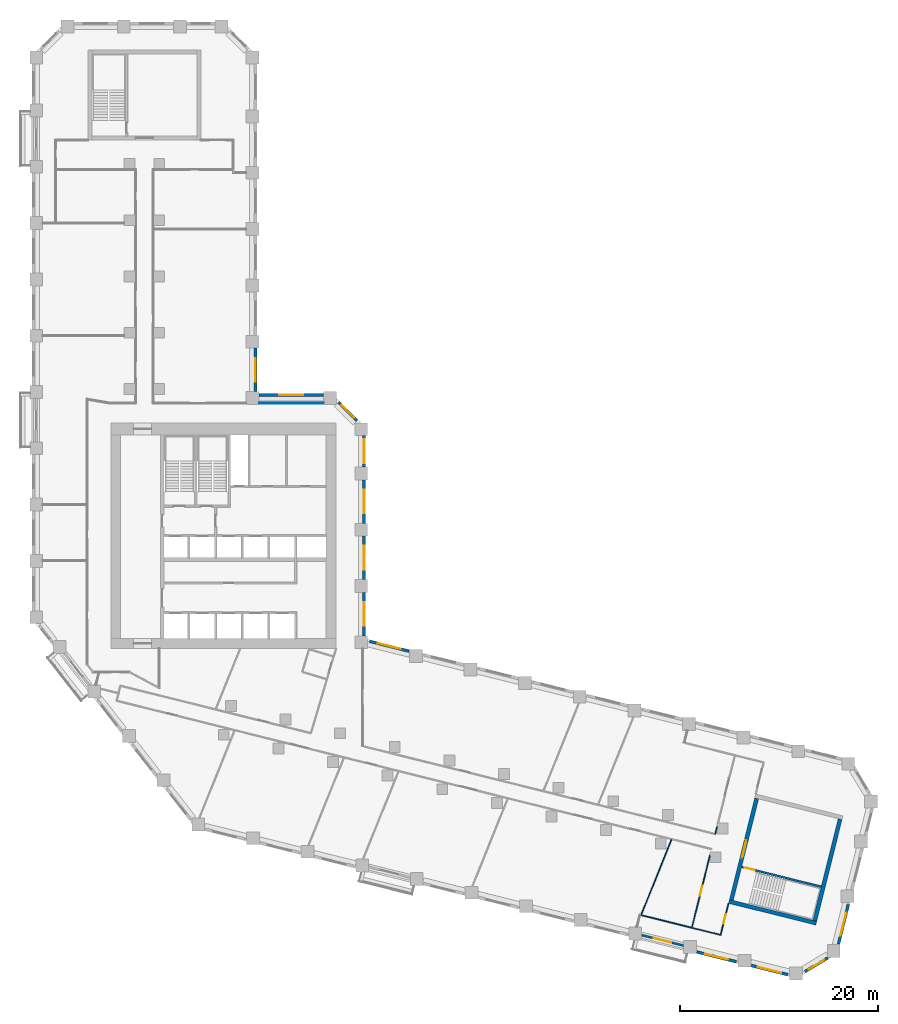
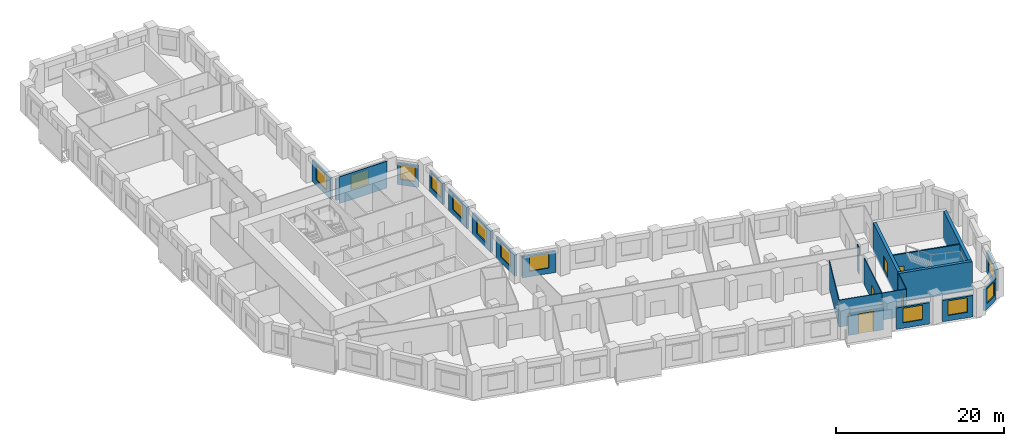
# One storey, part 6 of 10: 24 walls, 12 windows, 5 doors, 17 openings.
"""IFC4 building model written with IfcOpenShell, lengths in metres."""

import ifcopenshell
import ifcopenshell.guid

model = None  # the IFC model being written
_history = None  # IfcOwnerHistory: only IFC2X3 demands one
_inside = {}  # id of a spatial element -> (the spatial element, [elements in it])
_under = {}  # id of a project, library or spatial element -> (it, [spatial elements below it])
_declared = {}  # id of a project -> (the project, [libraries it declares])
_typed = {}  # id of a type object -> (the type object, [elements of that type])
_made_of = {}  # id of a material, layer set ... -> (it, [elements and type objects made of it])


def new_model(schema):
    """Start an empty IFC model of exactly this schema.

    Asked for "IFC4X3", IfcOpenShell would pick the latest addendum, in which some entities
    have other attributes; the version numbers below select the first issue.
    IFC2X3 requires an IfcOwnerHistory on every rooted entity: one is made here for all.
    """
    global model, _history
    if schema == "IFC4X3":
        model = ifcopenshell.file(schema_version=(4, 3, 0, 0))
    else:
        model = ifcopenshell.file(schema=schema)
    _inside.clear()
    _under.clear()
    _declared.clear()
    _typed.clear()
    _made_of.clear()
    _history = None
    if model.schema == "IFC2X3":
        org = make("IfcOrganization", Name="unknown")
        user = make(
            "IfcPersonAndOrganization",
            ThePerson=make("IfcPerson", FamilyName="unknown"),
            TheOrganization=org,
        )
        app = make(
            "IfcApplication",
            ApplicationDeveloper=org,
            Version="unknown",
            ApplicationFullName="unknown",
            ApplicationIdentifier="unknown",
        )
        _history = make(
            "IfcOwnerHistory",
            OwningUser=user,
            OwningApplication=app,
            ChangeAction="ADDED",
            CreationDate=0,
        )
    return model


def make(cls, **values):
    """One entity of the class cls with the attributes given. An attribute that is None is left unset."""
    return model.create_entity(
        cls, **{name: value for name, value in values.items() if value is not None}
    )


def rooted(cls, **values):
    """An entity with a GlobalId (a new one), such as an element, a storey or a relation."""
    return make(cls, GlobalId=ifcopenshell.guid.new(), OwnerHistory=_history, **values)


def si_unit(unit_type, name, prefix=None):
    """IfcSIUnit, for example si_unit("LENGTHUNIT", "METRE", prefix="MILLI")."""
    return make("IfcSIUnit", UnitType=unit_type, Prefix=prefix, Name=name)


def assignment(units):
    """IfcUnitAssignment: the units of a project."""
    return None if units is None else make("IfcUnitAssignment", Units=units)


def point(xyz):
    """IfcCartesianPoint."""
    return None if xyz is None else make("IfcCartesianPoint", Coordinates=xyz)


def direction(xyz):
    """IfcDirection."""
    return None if xyz is None else make("IfcDirection", DirectionRatios=xyz)


def frame(location, z_axis=None, x_axis=None):
    """IfcAxis2Placement3D, a coordinate frame: its origin and axes. An axis left out is left unset."""
    return make(
        "IfcAxis2Placement3D",
        Location=point(location),
        Axis=direction(z_axis),
        RefDirection=direction(x_axis),
    )


def frame_2d(location, x_axis=None):
    """IfcAxis2Placement2D, a coordinate frame in the plane: its origin and x axis."""
    return make(
        "IfcAxis2Placement2D", Location=point(location), RefDirection=direction(x_axis)
    )


def origin():
    """The frame at (0, 0, 0) with its axes left unset."""
    return frame((0.0, 0.0, 0.0))


def place(relative_to, where):
    """IfcLocalPlacement: puts the frame where relative to a parent placement (None: the world)."""
    return make(
        "IfcLocalPlacement", PlacementRelTo=relative_to, RelativePlacement=where
    )


def context(
    kind, dimensions, precision=None, world=None, true_north=None, identifier=None
):
    """IfcGeometricRepresentationContext, for example the 3D "Model" context."""
    return make(
        "IfcGeometricRepresentationContext",
        ContextIdentifier=identifier,
        ContextType=kind,
        CoordinateSpaceDimension=dimensions,
        Precision=precision,
        WorldCoordinateSystem=world,
        TrueNorth=true_north,
    )


def subcontext(parent, identifier, kind, view, scale=None):
    """IfcGeometricRepresentationSubContext, for example "Body" below "Model"."""
    return make(
        "IfcGeometricRepresentationSubContext",
        ContextIdentifier=identifier,
        ContextType=kind,
        ParentContext=parent,
        TargetScale=scale,
        TargetView=view,
    )


def project(units=None, contexts=None):
    """IfcProject with its units and contexts."""
    return rooted(
        "IfcProject",
        Name="project",
        RepresentationContexts=contexts,
        UnitsInContext=assignment(units),
    )


def spatial(cls, under=None, at=None, **own):
    """A site, building, storey or space (cls), placed at a placement, below another one or the project."""
    s = rooted(cls, ObjectPlacement=at, **own)
    if under is not None:
        _under.setdefault(under.id(), (under, []))[1].append(s)
    return s


def profile(cls, at=None, kind="AREA", **sizes):
    """A parametric profile (cls). Its sizes go by their IFC names, for example OverallWidth=200.0."""
    return make(cls, ProfileType=kind, Position=at, **sizes)


def rectangle(**sizes):
    """IfcRectangleProfileDef."""
    return profile("IfcRectangleProfileDef", **sizes)


def extrude(swept, where, along, depth):
    """IfcExtrudedAreaSolid: the profile swept, set in the frame where, extruded along a direction by depth."""
    return make(
        "IfcExtrudedAreaSolid",
        SweptArea=swept,
        Position=where,
        ExtrudedDirection=direction(along),
        Depth=depth,
    )


def shape(context_of_items, identifier, shape_type, items):
    """IfcShapeRepresentation: the items that make up one representation, for example the "Body"."""
    return make(
        "IfcShapeRepresentation",
        ContextOfItems=context_of_items,
        RepresentationIdentifier=identifier,
        RepresentationType=shape_type,
        Items=items,
    )


def material(Name=None, Category=None):
    """IfcMaterial."""
    return make("IfcMaterial", Name=Name, Category=Category)


def layer(
    of_material, thickness, ventilated=None, Name=None, Category=None, Priority=None
):
    """IfcMaterialLayer: one layer of a wall or slab, of a material (None: an air gap)."""
    return make(
        "IfcMaterialLayer",
        Material=of_material,
        LayerThickness=thickness,
        IsVentilated=ventilated,
        Name=Name,
        Category=Category,
        Priority=Priority,
    )


def layer_set(layers, Name=None):
    """IfcMaterialLayerSet."""
    return make("IfcMaterialLayerSet", MaterialLayers=layers, LayerSetName=Name)


def made_of(thing, what):
    """Note that an element or type object is made of a material, layer set ...; save() writes the relation."""
    if what is not None:
        _made_of.setdefault(what.id(), (what, []))[1].append(thing)
    return thing


def type_object(cls, material=None, **own):
    """A type object (cls), such as IfcWallType, which elements share."""
    return made_of(rooted(cls, **own), material)


def element(
    cls,
    number,
    at=None,
    inside=None,
    cuts=None,
    type_object=None,
    material=None,
    context=None,
    identifier="Body",
    shape_type=None,
    held_by="IfcProductDefinitionShape",
    body=None,
    shapes=None,
    **own,
):
    """One element of the class cls, such as IfcWall. Its Tag is "e" and its number.

    at: its placement. inside: the storey or other place that contains it. cuts: it is an
    opening in that element (IfcRelVoidsElement). A single representation is given by context,
    identifier, shape_type and body (its items); several are given by shapes. held_by: the class
    of the entity that holds the representations. save() writes the other relations.
    """
    e = rooted(cls, Tag="e%d" % number, ObjectPlacement=at, **own)
    if body is not None:
        shapes = [shape(context, identifier, shape_type, body)]
    if shapes is not None:
        e.Representation = make(held_by, Representations=shapes)
    if inside is not None:
        _inside.setdefault(inside.id(), (inside, []))[1].append(e)
    if cuts is not None:
        rooted(
            "IfcRelVoidsElement", RelatingBuildingElement=cuts, RelatedOpeningElement=e
        )
    if type_object is not None:
        _typed.setdefault(type_object.id(), (type_object, []))[1].append(e)
    return made_of(e, material)


def fill(opening, filler):
    """IfcRelFillsElement: the door or window that sits in an opening."""
    return rooted(
        "IfcRelFillsElement",
        RelatingOpeningElement=opening,
        RelatedBuildingElement=filler,
    )


def aggregate(whole, parts):
    """IfcRelAggregates: a whole, such as a stair, and the parts it consists of."""
    return rooted("IfcRelAggregates", RelatingObject=whole, RelatedObjects=parts)


def save(model, path):
    """Write the relations noted so far, then the file.

    IfcRelAggregates (storeys below a building ...), IfcRelContainedInSpatialStructure (elements
    in a storey), IfcRelDefinesByType, IfcRelAssociatesMaterial and IfcRelDeclares: one each for
    every whole, place, type object, material and project.
    """
    for whole, parts in _under.values():
        aggregate(whole, parts)
    for where, things in _inside.values():
        rooted(
            "IfcRelContainedInSpatialStructure",
            RelatedElements=things,
            RelatingStructure=where,
        )
    for kind, things in _typed.values():
        rooted("IfcRelDefinesByType", RelatedObjects=things, RelatingType=kind)
    for what, things in _made_of.values():
        rooted("IfcRelAssociatesMaterial", RelatedObjects=things, RelatingMaterial=what)
    for by, libraries in _declared.values():
        rooted("IfcRelDeclares", RelatingContext=by, RelatedDefinitions=libraries)
    model.write(path)


model = new_model("IFC4")

# Units and contexts
model_context = context("Model", 3, precision=1e-05, world=origin(), true_north=direction((0.0, 1.0)))
body_context = subcontext(model_context, "Body", "Model", "MODEL_VIEW")
ifc_project = project(units=[si_unit("LENGTHUNIT", "METRE"), si_unit("AREAUNIT", "SQUARE_METRE"), si_unit("VOLUMEUNIT", "CUBIC_METRE"), si_unit("PLANEANGLEUNIT", "RADIAN"), si_unit("MASSUNIT", "GRAM", prefix="KILO")], contexts=[model_context])

# Site, building, storey
site_placement = place(None, origin())
site = spatial("IfcSite", under=ifc_project, at=site_placement, CompositionType="ELEMENT")
building_placement = place(site_placement, origin())
building = spatial("IfcBuilding", under=site, at=building_placement, Name="Meshkara Civic Tower", CompositionType="ELEMENT")
storey_placement = place(building_placement, frame((0.0, 0.0, 126.60009765625)))
storey = spatial("IfcBuildingStorey", under=building, at=storey_placement, Name="L28", CompositionType="ELEMENT", Elevation=126.60009765625)

# Walls
ifc_material_1 = material(Name="Corridor wall 100")
ifc_layer_1 = layer(ifc_material_1, 0.10009765625)
ifc_layer_set_1 = layer_set([ifc_layer_1], Name="Corridor wall 100")
wall_type_1 = type_object("IfcWallType", Name="Corridor wall 100", PredefinedType="PARTITIONING", material=ifc_layer_set_1)
wall_1_placement = place(storey_placement, frame((29.5439453125, 38.89990234375, 0.0), z_axis=(0.0, 0.0, 1.0), x_axis=(-1.0, 0.0, 0.0)))
element("IfcWall", 1, at=wall_1_placement, inside=storey, type_object=wall_type_1, Name="L28-W021", PredefinedType="PARTITIONING", context=body_context, shape_type="SweptSolid", body=[
    extrude(rectangle(XDim=6.5439453125, YDim=0.10009765625, at=frame_2d((3.27197265625, 0.0))), origin(), (0.0, 0.0, 1.0), 3.89990234375),
])
wall_2_placement = place(storey_placement, frame((66.822998046875, -14.18701171875, 0.0), z_axis=(0.0, 0.0, 1.0), x_axis=(0.970271610033, -0.242018600037, 0.0)))
element("IfcWall", 2, at=wall_2_placement, inside=storey, type_object=wall_type_1, Name="L28-W024", PredefinedType="PARTITIONING", context=body_context, shape_type="SweptSolid", body=[
    extrude(rectangle(XDim=3.0, YDim=0.10009765625, at=frame_2d((1.5, 0.0))), origin(), (0.0, 0.0, 1.0), 3.89990234375),
])

# Wall, opening, door
wall_3_placement = place(storey_placement, frame((68.64990234375, -6.860107421875, 0.0), z_axis=(0.0, 0.0, 1.0), x_axis=(-0.241934597979, -0.970292559129, 0.0)))
wall_3 = element("IfcWall", 3, at=wall_3_placement, inside=storey, type_object=wall_type_1, Name="L28-W025", PredefinedType="PARTITIONING", context=body_context, shape_type="SweptSolid", body=[
    extrude(rectangle(XDim=7.55126953125, YDim=0.10009765625, at=frame_2d((3.775634765625, 0.0))), origin(), (0.0, 0.0, 1.0), 3.89990234375),
])
opening_1_placement = place(wall_3_placement, frame((3.179931640625, 0.0, 0.0)))
opening_1 = element("IfcOpeningElement", 4, at=opening_1_placement, cuts=wall_3, Name="Opening L28-D002", PredefinedType="OPENING", context=body_context, shape_type="SweptSolid", body=[
    extrude(rectangle(XDim=1.0, YDim=2.10009765625, at=frame_2d((0.5, 1.050048828125))), frame((0.0, 0.06005859375, 0.0), z_axis=(0.0, -1.0, 0.0), x_axis=(1.0, 0.0, 0.0)), (0.0, 0.0, 1.0), 0.1201171875),
])
ifc_material_2 = material(Name="Door 1000 x 2100")
door_type_1 = type_object("IfcDoorType", Name="Door 1000 x 2100", OperationType="SINGLE_SWING_LEFT", PredefinedType="DOOR", material=ifc_material_2)
door_1_placement = place(opening_1_placement, origin())
door_1 = element("IfcDoor", 5, at=door_1_placement, inside=storey, type_object=door_type_1, Name="L28-D002", OperationType="SINGLE_SWING_RIGHT", OverallHeight=2.10009765625, OverallWidth=1.0, PredefinedType="DOOR", context=body_context, shape_type="SweptSolid", body=[
    extrude(rectangle(XDim=1.0, YDim=2.10009765625, at=frame_2d((0.5, 1.050048828125))), frame((0.0, 0.02490234375, 0.0), z_axis=(0.0, -1.0, 0.0), x_axis=(1.0, 0.0, 0.0)), (0.0, 0.0, 1.0), 0.050048828125),
])
fill(opening_1, door_1)

# Wall
wall_4_placement = place(storey_placement, frame((69.3759765625, -3.947998046875, 0.0), z_axis=(0.0, 0.0, 1.0), x_axis=(-0.24193792473, -0.970291729624, 0.0)))
element("IfcWall", 6, at=wall_4_placement, inside=storey, type_object=wall_type_1, Name="L28-W026", PredefinedType="PARTITIONING", context=body_context, shape_type="SweptSolid", body=[
    extrude(rectangle(XDim=0.76904296875, YDim=0.10009765625, at=frame_2d((0.384521484375, 0.0))), origin(), (0.0, 0.0, 1.0), 3.89990234375),
])

# Wall, opening, door
wall_5_placement = place(storey_placement, frame((69.73388671875, -14.9130859375, 0.0), z_axis=(0.0, 0.0, 1.0), x_axis=(0.241839284064, 0.97031631991, 0.0)))
wall_5 = element("IfcWall", 7, at=wall_5_placement, inside=storey, type_object=wall_type_1, Name="L28-W027", PredefinedType="PARTITIONING", context=body_context, shape_type="SweptSolid", body=[
    extrude(rectangle(XDim=3.300048828125, YDim=0.10009765625, at=frame_2d((1.64990234375, 0.0))), origin(), (0.0, 0.0, 1.0), 3.89990234375),
])
opening_2_placement = place(wall_5_placement, frame((1.179931640625, 0.0, 0.0)))
opening_2 = element("IfcOpeningElement", 8, at=opening_2_placement, cuts=wall_5, Name="Opening L28-D001", PredefinedType="OPENING", context=body_context, shape_type="SweptSolid", body=[
    extrude(rectangle(XDim=1.0, YDim=2.10009765625, at=frame_2d((0.5, 1.050048828125))), frame((0.0, 0.06005859375, 0.0), z_axis=(0.0, -1.0, 0.0), x_axis=(1.0, 0.0, 0.0)), (0.0, 0.0, 1.0), 0.1201171875),
])
door_2_placement = place(opening_2_placement, origin())
door_2 = element("IfcDoor", 9, at=door_2_placement, inside=storey, type_object=door_type_1, Name="L28-D001", OperationType="SINGLE_SWING_LEFT", OverallHeight=2.10009765625, OverallWidth=1.0, PredefinedType="DOOR", context=body_context, shape_type="SweptSolid", body=[
    extrude(rectangle(XDim=1.0, YDim=2.10009765625, at=frame_2d((0.5, 1.050048828125))), frame((0.0, 0.02490234375, 0.0), z_axis=(0.0, -1.0, 0.0), x_axis=(1.0, 0.0, 0.0)), (0.0, 0.0, 1.0), 0.050048828125),
])
fill(opening_2, door_2)

# Wall, opening, window
ifc_material_3 = material(Name="Insulated infill panel with bronze anodised aluminium cladding", Category="aluminium")
ifc_layer_2 = layer(ifc_material_3, 0.300048828125)
ifc_layer_set_2 = layer_set([ifc_layer_2], Name="EXTERNAL INFILL WALL 300")
wall_type_2 = type_object("IfcWallType", Name="EXTERNAL INFILL WALL 300", PredefinedType="SOLIDWALL", material=ifc_layer_set_2)
wall_6_placement = place(storey_placement, frame((38.18896484375, 13.822021484375, 0.0), z_axis=(0.0, 0.0, 1.0), x_axis=(-0.970281616392, 0.241978480223, 0.0)))
wall_6 = element("IfcWall", 10, at=wall_6_placement, inside=storey, type_object=wall_type_2, Name="External wall", PredefinedType="SOLIDWALL", context=body_context, shape_type="SweptSolid", body=[
    extrude(rectangle(XDim=4.12451171875, YDim=0.300048828125, at=frame_2d((2.062255859375, 0.0))), origin(), (0.0, 0.0, 1.0), 3.099853515625),
])
opening_3_placement = place(wall_6_placement, frame((0.862060546875, 0.0, 0.800048828125)))
opening_3 = element("IfcOpeningElement", 11, at=opening_3_placement, cuts=wall_6, Name="Opening W7", PredefinedType="OPENING", context=body_context, shape_type="SweptSolid", body=[
    extrude(rectangle(XDim=2.39990234375, YDim=2.10009765625, at=frame_2d((1.199951171875, 1.050048828125))), frame((0.0, 0.159912109375, 0.0), z_axis=(0.0, -1.0, 0.0), x_axis=(1.0, 0.0, 0.0)), (0.0, 0.0, 1.0), 0.320068359375),
])
ifc_material_4 = material(Name="Tinted double glazing", Category="glass")
window_type_1 = type_object("IfcWindowType", Name="WINDOW 2400x2100", PartitioningType="DOUBLE_PANEL_VERTICAL", PredefinedType="WINDOW", material=ifc_material_4)
window_1_placement = place(opening_3_placement, origin())
window_1 = element("IfcWindow", 12, at=window_1_placement, inside=storey, type_object=window_type_1, Name="Window", OverallHeight=2.10009765625, OverallWidth=2.39990234375, PartitioningType="DOUBLE_PANEL_VERTICAL", PredefinedType="WINDOW", context=body_context, shape_type="SweptSolid", body=[
    extrude(rectangle(XDim=2.39990234375, YDim=2.10009765625, at=frame_2d((1.199951171875, 1.050048828125))), frame((0.0, 0.030029296875, 0.0), z_axis=(0.0, -1.0, 0.0), x_axis=(1.0, 0.0, 0.0)), (0.0, 0.0, 1.0), 0.06005859375),
])
fill(opening_3, window_1)

wall_7_placement = place(storey_placement, frame((33.64990234375, 15.368896484375, 0.0), z_axis=(0.0, 0.0, 1.0), x_axis=(0.0, 1.0, 0.0)))
wall_7 = element("IfcWall", 13, at=wall_7_placement, inside=storey, type_object=wall_type_2, Name="External wall", PredefinedType="SOLIDWALL", context=body_context, shape_type="SweptSolid", body=[
    extrude(rectangle(XDim=4.400146484375, YDim=0.300048828125, at=frame_2d((2.2001953125, 0.0))), origin(), (0.0, 0.0, 1.0), 3.099853515625),
])
opening_4_placement = place(wall_7_placement, frame((1.0, 0.0, 0.800048828125)))
opening_4 = element("IfcOpeningElement", 14, at=opening_4_placement, cuts=wall_7, Name="Opening W7", PredefinedType="OPENING", context=body_context, shape_type="SweptSolid", body=[
    extrude(rectangle(XDim=2.39990234375, YDim=2.10009765625, at=frame_2d((1.199951171875, 1.050048828125))), frame((0.0, 0.159912109375, 0.0), z_axis=(0.0, -1.0, 0.0), x_axis=(1.0, 0.0, 0.0)), (0.0, 0.0, 1.0), 0.320068359375),
])
window_2_placement = place(opening_4_placement, origin())
window_2 = element("IfcWindow", 15, at=window_2_placement, inside=storey, type_object=window_type_1, Name="Window", OverallHeight=2.10009765625, OverallWidth=2.39990234375, PartitioningType="DOUBLE_PANEL_VERTICAL", PredefinedType="WINDOW", context=body_context, shape_type="SweptSolid", body=[
    extrude(rectangle(XDim=2.39990234375, YDim=2.10009765625, at=frame_2d((1.199951171875, 1.050048828125))), frame((0.0, 0.030029296875, 0.0), z_axis=(0.0, -1.0, 0.0), x_axis=(1.0, 0.0, 0.0)), (0.0, 0.0, 1.0), 0.06005859375),
])
fill(opening_4, window_2)

wall_8_placement = place(storey_placement, frame((33.64990234375, 21.069091796875, 0.0), z_axis=(0.0, 0.0, 1.0), x_axis=(0.0, 1.0, 0.0)))
wall_8 = element("IfcWall", 16, at=wall_8_placement, inside=storey, type_object=wall_type_2, Name="External wall", PredefinedType="SOLIDWALL", context=body_context, shape_type="SweptSolid", body=[
    extrude(rectangle(XDim=4.39990234375, YDim=0.300048828125, at=frame_2d((2.199951171875, 0.0))), origin(), (0.0, 0.0, 1.0), 3.099853515625),
])
opening_5_placement = place(wall_8_placement, frame((1.0, 0.0, 0.800048828125)))
opening_5 = element("IfcOpeningElement", 17, at=opening_5_placement, cuts=wall_8, Name="Opening W7", PredefinedType="OPENING", context=body_context, shape_type="SweptSolid", body=[
    extrude(rectangle(XDim=2.39990234375, YDim=2.10009765625, at=frame_2d((1.199951171875, 1.050048828125))), frame((0.0, 0.159912109375, 0.0), z_axis=(0.0, -1.0, 0.0), x_axis=(1.0, 0.0, 0.0)), (0.0, 0.0, 1.0), 0.320068359375),
])
window_3_placement = place(opening_5_placement, origin())
window_3 = element("IfcWindow", 18, at=window_3_placement, inside=storey, type_object=window_type_1, Name="Window", OverallHeight=2.10009765625, OverallWidth=2.39990234375, PartitioningType="DOUBLE_PANEL_VERTICAL", PredefinedType="WINDOW", context=body_context, shape_type="SweptSolid", body=[
    extrude(rectangle(XDim=2.39990234375, YDim=2.10009765625, at=frame_2d((1.199951171875, 1.050048828125))), frame((0.0, 0.030029296875, 0.0), z_axis=(0.0, -1.0, 0.0), x_axis=(1.0, 0.0, 0.0)), (0.0, 0.0, 1.0), 0.06005859375),
])
fill(opening_5, window_3)

wall_9_placement = place(storey_placement, frame((33.64990234375, 26.76904296875, 0.0), z_axis=(0.0, 0.0, 1.0), x_axis=(0.0, 1.0, 0.0)))
wall_9 = element("IfcWall", 19, at=wall_9_placement, inside=storey, type_object=wall_type_2, Name="External wall", PredefinedType="SOLIDWALL", context=body_context, shape_type="SweptSolid", body=[
    extrude(rectangle(XDim=4.39990234375, YDim=0.300048828125, at=frame_2d((2.199951171875, 0.0))), origin(), (0.0, 0.0, 1.0), 3.099853515625),
])
opening_6_placement = place(wall_9_placement, frame((1.0, 0.0, 0.800048828125)))
opening_6 = element("IfcOpeningElement", 20, at=opening_6_placement, cuts=wall_9, Name="Opening W7", PredefinedType="OPENING", context=body_context, shape_type="SweptSolid", body=[
    extrude(rectangle(XDim=2.39990234375, YDim=2.10009765625, at=frame_2d((1.199951171875, 1.050048828125))), frame((0.0, 0.159912109375, 0.0), z_axis=(0.0, -1.0, 0.0), x_axis=(1.0, 0.0, 0.0)), (0.0, 0.0, 1.0), 0.320068359375),
])
window_4_placement = place(opening_6_placement, origin())
window_4 = element("IfcWindow", 21, at=window_4_placement, inside=storey, type_object=window_type_1, Name="Window", OverallHeight=2.10009765625, OverallWidth=2.39990234375, PartitioningType="DOUBLE_PANEL_VERTICAL", PredefinedType="WINDOW", context=body_context, shape_type="SweptSolid", body=[
    extrude(rectangle(XDim=2.39990234375, YDim=2.10009765625, at=frame_2d((1.199951171875, 1.050048828125))), frame((0.0, 0.030029296875, 0.0), z_axis=(0.0, -1.0, 0.0), x_axis=(1.0, 0.0, 0.0)), (0.0, 0.0, 1.0), 0.06005859375),
])
fill(opening_6, window_4)

wall_10_placement = place(storey_placement, frame((33.64990234375, 32.468994140625, 0.0), z_axis=(0.0, 0.0, 1.0), x_axis=(0.0, 1.0, 0.0)))
wall_10 = element("IfcWall", 22, at=wall_10_placement, inside=storey, type_object=wall_type_2, Name="External wall", PredefinedType="SOLIDWALL", context=body_context, shape_type="SweptSolid", body=[
    extrude(rectangle(XDim=3.175048828125, YDim=0.300048828125, at=frame_2d((1.58740234375, 0.0))), origin(), (0.0, 0.0, 1.0), 3.099853515625),
])
opening_7_placement = place(wall_10_placement, frame((0.387939453125, 0.0, 0.800048828125)))
opening_7 = element("IfcOpeningElement", 23, at=opening_7_placement, cuts=wall_10, Name="Opening W7", PredefinedType="OPENING", context=body_context, shape_type="SweptSolid", body=[
    extrude(rectangle(XDim=2.39990234375, YDim=2.10009765625, at=frame_2d((1.199951171875, 1.050048828125))), frame((0.0, 0.159912109375, 0.0), z_axis=(0.0, -1.0, 0.0), x_axis=(1.0, 0.0, 0.0)), (0.0, 0.0, 1.0), 0.320068359375),
])
window_5_placement = place(opening_7_placement, origin())
window_5 = element("IfcWindow", 24, at=window_5_placement, inside=storey, type_object=window_type_1, Name="Window", OverallHeight=2.10009765625, OverallWidth=2.39990234375, PartitioningType="DOUBLE_PANEL_VERTICAL", PredefinedType="WINDOW", context=body_context, shape_type="SweptSolid", body=[
    extrude(rectangle(XDim=2.39990234375, YDim=2.10009765625, at=frame_2d((1.199951171875, 1.050048828125))), frame((0.0, 0.030029296875, 0.0), z_axis=(0.0, -1.0, 0.0), x_axis=(1.0, 0.0, 0.0)), (0.0, 0.0, 1.0), 0.06005859375),
])
fill(opening_7, window_5)

wall_11_placement = place(storey_placement, frame((32.912109375, 37.156005859375, 0.0), z_axis=(0.0, 0.0, 1.0), x_axis=(-0.707153284542, 0.707060274772, 0.0)))
wall_11 = element("IfcWall", 25, at=wall_11_placement, inside=storey, type_object=wall_type_2, Name="External wall", PredefinedType="SOLIDWALL", context=body_context, shape_type="SweptSolid", body=[
    extrude(rectangle(XDim=2.625, YDim=0.300048828125, at=frame_2d((1.3125, 0.0))), origin(), (0.0, 0.0, 1.0), 3.099853515625),
])
opening_8_placement = place(wall_11_placement, frame((0.412109375, 0.0, 0.800048828125)))
opening_8 = element("IfcOpeningElement", 26, at=opening_8_placement, cuts=wall_11, Name="Opening W9", PredefinedType="OPENING", context=body_context, shape_type="SweptSolid", body=[
    extrude(rectangle(XDim=1.800048828125, YDim=2.10009765625, at=frame_2d((0.89990234375, 1.050048828125))), frame((0.0, 0.159912109375, 0.0), z_axis=(0.0, -1.0, 0.0), x_axis=(1.0, 0.0, 0.0)), (0.0, 0.0, 1.0), 0.320068359375),
])
ifc_material_5 = material(Name="Tinted double glazing", Category="glass")
window_type_2 = type_object("IfcWindowType", Name="WINDOW 1800x2100", PartitioningType="DOUBLE_PANEL_VERTICAL", PredefinedType="WINDOW", material=ifc_material_5)
window_6_placement = place(opening_8_placement, origin())
window_6 = element("IfcWindow", 27, at=window_6_placement, inside=storey, type_object=window_type_2, Name="Window", OverallHeight=2.10009765625, OverallWidth=1.800048828125, PartitioningType="DOUBLE_PANEL_VERTICAL", PredefinedType="WINDOW", context=body_context, shape_type="SweptSolid", body=[
    extrude(rectangle(XDim=1.800048828125, YDim=2.10009765625, at=frame_2d((0.89990234375, 1.050048828125))), frame((0.0, 0.030029296875, 0.0), z_axis=(0.0, -1.0, 0.0), x_axis=(1.0, 0.0, 0.0)), (0.0, 0.0, 1.0), 0.06005859375),
])
fill(opening_8, window_6)

wall_12_placement = place(storey_placement, frame((29.5439453125, 39.75, 0.0), z_axis=(0.0, 0.0, 1.0), x_axis=(-1.0, 0.0, 0.0)))
wall_12 = element("IfcWall", 28, at=wall_12_placement, inside=storey, type_object=wall_type_2, Name="External wall", PredefinedType="SOLIDWALL", context=body_context, shape_type="SweptSolid", body=[
    extrude(rectangle(XDim=6.5439453125, YDim=0.300048828125, at=frame_2d((3.27197265625, 0.0))), origin(), (0.0, 0.0, 1.0), 3.099853515625),
])
opening_9_placement = place(wall_12_placement, frame((2.072021484375, 0.0, 0.800048828125)))
opening_9 = element("IfcOpeningElement", 29, at=opening_9_placement, cuts=wall_12, Name="Opening W7", PredefinedType="OPENING", context=body_context, shape_type="SweptSolid", body=[
    extrude(rectangle(XDim=2.39990234375, YDim=2.10009765625, at=frame_2d((1.199951171875, 1.050048828125))), frame((0.0, 0.159912109375, 0.0), z_axis=(0.0, -1.0, 0.0), x_axis=(1.0, 0.0, 0.0)), (0.0, 0.0, 1.0), 0.320068359375),
])
window_7_placement = place(opening_9_placement, origin())
window_7 = element("IfcWindow", 30, at=window_7_placement, inside=storey, type_object=window_type_1, Name="Window", OverallHeight=2.10009765625, OverallWidth=2.39990234375, PartitioningType="DOUBLE_PANEL_VERTICAL", PredefinedType="WINDOW", context=body_context, shape_type="SweptSolid", body=[
    extrude(rectangle(XDim=2.39990234375, YDim=2.10009765625, at=frame_2d((1.199951171875, 1.050048828125))), frame((0.0, 0.030029296875, 0.0), z_axis=(0.0, -1.0, 0.0), x_axis=(1.0, 0.0, 0.0)), (0.0, 0.0, 1.0), 0.06005859375),
])
fill(opening_9, window_7)

wall_13_placement = place(storey_placement, frame((22.64990234375, 40.10009765625, 0.0), z_axis=(0.0, 0.0, 1.0), x_axis=(0.0, 1.0, 0.0)))
wall_13 = element("IfcWall", 31, at=wall_13_placement, inside=storey, type_object=wall_type_2, Name="External wall", PredefinedType="SOLIDWALL", context=body_context, shape_type="SweptSolid", body=[
    extrude(rectangle(XDim=4.39990234375, YDim=0.300048828125, at=frame_2d((2.199951171875, 0.0))), origin(), (0.0, 0.0, 1.0), 3.099853515625),
])
opening_10_placement = place(wall_13_placement, frame((1.0, 0.0, 0.800048828125)))
opening_10 = element("IfcOpeningElement", 32, at=opening_10_placement, cuts=wall_13, Name="Opening W7", PredefinedType="OPENING", context=body_context, shape_type="SweptSolid", body=[
    extrude(rectangle(XDim=2.39990234375, YDim=2.10009765625, at=frame_2d((1.199951171875, 1.050048828125))), frame((0.0, 0.159912109375, 0.0), z_axis=(0.0, -1.0, 0.0), x_axis=(1.0, 0.0, 0.0)), (0.0, 0.0, 1.0), 0.320068359375),
])
window_8_placement = place(opening_10_placement, origin())
window_8 = element("IfcWindow", 33, at=window_8_placement, inside=storey, type_object=window_type_1, Name="Window", OverallHeight=2.10009765625, OverallWidth=2.39990234375, PartitioningType="DOUBLE_PANEL_VERTICAL", PredefinedType="WINDOW", context=body_context, shape_type="SweptSolid", body=[
    extrude(rectangle(XDim=2.39990234375, YDim=2.10009765625, at=frame_2d((1.199951171875, 1.050048828125))), frame((0.0, 0.030029296875, 0.0), z_axis=(0.0, -1.0, 0.0), x_axis=(1.0, 0.0, 0.0)), (0.0, 0.0, 1.0), 0.06005859375),
])
fill(opening_10, window_8)

wall_14_placement = place(storey_placement, frame((67.319091796875, -16.6298828125, 0.0), z_axis=(0.0, 0.0, 1.0), x_axis=(0.970337184445, -0.241755555227, 0.0)))
wall_14 = element("IfcWall", 34, at=wall_14_placement, inside=storey, type_object=wall_type_2, Name="External wall", PredefinedType="SOLIDWALL", context=body_context, shape_type="SweptSolid", body=[
    extrude(rectangle(XDim=4.124267578125, YDim=0.300048828125, at=frame_2d((2.06201171875, 0.0))), origin(), (0.0, 0.0, 1.0), 3.099853515625),
])
opening_11_placement = place(wall_14_placement, frame((0.862060546875, 0.0, 0.800048828125)))
opening_11 = element("IfcOpeningElement", 35, at=opening_11_placement, cuts=wall_14, Name="Opening W7", PredefinedType="OPENING", context=body_context, shape_type="SweptSolid", body=[
    extrude(rectangle(XDim=2.39990234375, YDim=2.10009765625, at=frame_2d((1.199951171875, 1.050048828125))), frame((0.0, 0.159912109375, 0.0), z_axis=(0.0, -1.0, 0.0), x_axis=(1.0, 0.0, 0.0)), (0.0, 0.0, 1.0), 0.320068359375),
])
window_9_placement = place(opening_11_placement, origin())
window_9 = element("IfcWindow", 36, at=window_9_placement, inside=storey, type_object=window_type_1, Name="Window", OverallHeight=2.10009765625, OverallWidth=2.39990234375, PartitioningType="DOUBLE_PANEL_VERTICAL", PredefinedType="WINDOW", context=body_context, shape_type="SweptSolid", body=[
    extrude(rectangle(XDim=2.39990234375, YDim=2.10009765625, at=frame_2d((1.199951171875, 1.050048828125))), frame((0.0, 0.030029296875, 0.0), z_axis=(0.0, -1.0, 0.0), x_axis=(1.0, 0.0, 0.0)), (0.0, 0.0, 1.0), 0.06005859375),
])
fill(opening_11, window_9)

wall_15_placement = place(storey_placement, frame((72.85009765625, -18.009033203125, 0.0), z_axis=(0.0, 0.0, 1.0), x_axis=(0.970309295155, -0.241867467295, 0.0)))
wall_15 = element("IfcWall", 37, at=wall_15_placement, inside=storey, type_object=wall_type_2, Name="External wall", PredefinedType="SOLIDWALL", context=body_context, shape_type="SweptSolid", body=[
    extrude(rectangle(XDim=3.783203125, YDim=0.300048828125, at=frame_2d((1.8916015625, 0.0))), origin(), (0.0, 0.0, 1.0), 3.099853515625),
])
opening_12_placement = place(wall_15_placement, frame((0.69189453125, 0.0, 0.800048828125)))
opening_12 = element("IfcOpeningElement", 38, at=opening_12_placement, cuts=wall_15, Name="Opening W7", PredefinedType="OPENING", context=body_context, shape_type="SweptSolid", body=[
    extrude(rectangle(XDim=2.39990234375, YDim=2.10009765625, at=frame_2d((1.199951171875, 1.050048828125))), frame((0.0, 0.159912109375, 0.0), z_axis=(0.0, -1.0, 0.0), x_axis=(1.0, 0.0, 0.0)), (0.0, 0.0, 1.0), 0.320068359375),
])
window_10_placement = place(opening_12_placement, origin())
window_10 = element("IfcWindow", 39, at=window_10_placement, inside=storey, type_object=window_type_1, Name="Window", OverallHeight=2.10009765625, OverallWidth=2.39990234375, PartitioningType="DOUBLE_PANEL_VERTICAL", PredefinedType="WINDOW", context=body_context, shape_type="SweptSolid", body=[
    extrude(rectangle(XDim=2.39990234375, YDim=2.10009765625, at=frame_2d((1.199951171875, 1.050048828125))), frame((0.0, 0.030029296875, 0.0), z_axis=(0.0, -1.0, 0.0), x_axis=(1.0, 0.0, 0.0)), (0.0, 0.0, 1.0), 0.06005859375),
])
fill(opening_12, window_10)

wall_16_placement = place(storey_placement, frame((78.277099609375, -18.62109375, 0.0), z_axis=(0.0, 0.0, 1.0), x_axis=(0.857066424989, 0.515205923061, 0.0)))
wall_16 = element("IfcWall", 40, at=wall_16_placement, inside=storey, type_object=wall_type_2, Name="External wall", PredefinedType="SOLIDWALL", context=body_context, shape_type="SweptSolid", body=[
    extrude(rectangle(XDim=2.6787109375, YDim=0.300048828125, at=frame_2d((1.33935546875, 0.0))), origin(), (0.0, 0.0, 1.0), 3.099853515625),
])
opening_13_placement = place(wall_16_placement, frame((0.43896484375, 0.0, 0.800048828125)))
opening_13 = element("IfcOpeningElement", 41, at=opening_13_placement, cuts=wall_16, Name="Opening W9", PredefinedType="OPENING", context=body_context, shape_type="SweptSolid", body=[
    extrude(rectangle(XDim=1.800048828125, YDim=2.10009765625, at=frame_2d((0.89990234375, 1.050048828125))), frame((0.0, 0.159912109375, 0.0), z_axis=(0.0, -1.0, 0.0), x_axis=(1.0, 0.0, 0.0)), (0.0, 0.0, 1.0), 0.320068359375),
])
window_11_placement = place(opening_13_placement, origin())
window_11 = element("IfcWindow", 42, at=window_11_placement, inside=storey, type_object=window_type_2, Name="Window", OverallHeight=2.10009765625, OverallWidth=1.800048828125, PartitioningType="DOUBLE_PANEL_VERTICAL", PredefinedType="WINDOW", context=body_context, shape_type="SweptSolid", body=[
    extrude(rectangle(XDim=1.800048828125, YDim=2.10009765625, at=frame_2d((0.89990234375, 1.050048828125))), frame((0.0, 0.030029296875, 0.0), z_axis=(0.0, -1.0, 0.0), x_axis=(1.0, 0.0, 0.0)), (0.0, 0.0, 1.0), 0.06005859375),
])
fill(opening_13, window_11)

wall_17_placement = place(storey_placement, frame((81.6650390625, -15.83203125, 0.0), z_axis=(0.0, 0.0, 1.0), x_axis=(0.241978480223, 0.970281616392, 0.0)))
wall_17 = element("IfcWall", 43, at=wall_17_placement, inside=storey, type_object=wall_type_2, Name="External wall", PredefinedType="SOLIDWALL", context=body_context, shape_type="SweptSolid", body=[
    extrude(rectangle(XDim=4.12451171875, YDim=0.300048828125, at=frame_2d((2.062255859375, 0.0))), origin(), (0.0, 0.0, 1.0), 3.099853515625),
])
opening_14_placement = place(wall_17_placement, frame((0.862060546875, 0.0, 0.800048828125)))
opening_14 = element("IfcOpeningElement", 44, at=opening_14_placement, cuts=wall_17, Name="Opening W7", PredefinedType="OPENING", context=body_context, shape_type="SweptSolid", body=[
    extrude(rectangle(XDim=2.39990234375, YDim=2.10009765625, at=frame_2d((1.199951171875, 1.050048828125))), frame((0.0, 0.159912109375, 0.0), z_axis=(0.0, -1.0, 0.0), x_axis=(1.0, 0.0, 0.0)), (0.0, 0.0, 1.0), 0.320068359375),
])
window_12_placement = place(opening_14_placement, origin())
window_12 = element("IfcWindow", 45, at=window_12_placement, inside=storey, type_object=window_type_1, Name="Window", OverallHeight=2.10009765625, OverallWidth=2.39990234375, PartitioningType="DOUBLE_PANEL_VERTICAL", PredefinedType="WINDOW", context=body_context, shape_type="SweptSolid", body=[
    extrude(rectangle(XDim=2.39990234375, YDim=2.10009765625, at=frame_2d((1.199951171875, 1.050048828125))), frame((0.0, 0.030029296875, 0.0), z_axis=(0.0, -1.0, 0.0), x_axis=(1.0, 0.0, 0.0)), (0.0, 0.0, 1.0), 0.06005859375),
])
fill(opening_14, window_12)

# Wall
ifc_material_6 = material(Name="Concrete C70", Category="concrete")
ifc_layer_3 = layer(ifc_material_6, 0.39990234375)
ifc_layer_set_3 = layer_set([ifc_layer_3], Name="End core ring wall 400 C70")
wall_type_3 = type_object("IfcWallType", Name="End core ring wall 400 C70", PredefinedType="SHEAR", material=ifc_layer_set_3)
wall_18_placement = place(storey_placement, frame((70.580078125, -11.51708984375, -0.300048828125), z_axis=(0.0, 0.0, 1.0), x_axis=(0.970285938441, -0.241961149081, 0.0)))
element("IfcWall", 46, at=wall_18_placement, inside=storey, type_object=wall_type_3, Name="L28-C031", PredefinedType="SHEAR", context=body_context, shape_type="SweptSolid", body=[
    extrude(rectangle(XDim=9.100341796875, YDim=0.39990234375, at=frame_2d((4.55029296875, 0.0))), origin(), (0.0, 0.0, 1.0), 4.199951171875),
])

# Wall, opening, door
wall_19_placement = place(storey_placement, frame((70.822998046875, -11.37109375, -0.300048828125), z_axis=(0.0, 0.0, 1.0), x_axis=(0.241885246693, 0.97030486314, 0.0)))
wall_19 = element("IfcWall", 47, at=wall_19_placement, inside=storey, type_object=wall_type_3, Name="L28-C033", PredefinedType="SHEAR", context=body_context, shape_type="SweptSolid", body=[
    extrude(rectangle(XDim=10.599853515625, YDim=0.39990234375, at=frame_2d((5.2998046875, 0.0))), origin(), (0.0, 0.0, 1.0), 4.199951171875),
])
opening_15_placement = place(wall_19_placement, frame((4.39990234375, 0.0, 0.300048828125)))
opening_15 = element("IfcOpeningElement", 48, at=opening_15_placement, cuts=wall_19, Name="Opening L28-K202", PredefinedType="OPENING", context=body_context, shape_type="SweptSolid", body=[
    extrude(rectangle(XDim=1.800048828125, YDim=2.10009765625, at=frame_2d((0.89990234375, 1.050048828125))), frame((0.0, 0.2099609375, 0.0), z_axis=(0.0, -1.0, 0.0), x_axis=(1.0, 0.0, 0.0)), (0.0, 0.0, 1.0), 0.419921875),
])
ifc_material_7 = material(Name="Fire-rated door leaf in steel frame", Category="steel")
door_type_2 = type_object("IfcDoorType", Name="Core double door 1800 EI 60", OperationType="DOUBLE_DOOR_SINGLE_SWING", PredefinedType="DOOR", material=ifc_material_7)
door_3_placement = place(opening_15_placement, origin())
door_3 = element("IfcDoor", 49, at=door_3_placement, inside=storey, type_object=door_type_2, Name="L28-K202", OperationType="DOUBLE_DOOR_SINGLE_SWING", OverallHeight=2.10009765625, OverallWidth=1.800048828125, PredefinedType="DOOR", context=body_context, shape_type="SweptSolid", body=[
    extrude(rectangle(XDim=1.800048828125, YDim=2.10009765625, at=frame_2d((0.89990234375, 1.050048828125))), frame((0.0, 0.02490234375, 0.0), z_axis=(0.0, -1.0, 0.0), x_axis=(1.0, 0.0, 0.0)), (0.0, 0.0, 1.0), 0.050048828125),
])
fill(opening_15, door_3)

# Wall
wall_20_placement = place(storey_placement, frame((79.263916015625, -13.47607421875, -0.300048828125), z_axis=(0.0, 0.0, 1.0), x_axis=(0.241993665753, 0.970277829148, 0.0)))
element("IfcWall", 50, at=wall_20_placement, inside=storey, type_object=wall_type_3, Name="L28-C034", PredefinedType="SHEAR", context=body_context, shape_type="SweptSolid", body=[
    extrude(rectangle(XDim=10.60009765625, YDim=0.39990234375, at=frame_2d((5.300048828125, 0.0))), origin(), (0.0, 0.0, 1.0), 4.199951171875),
])

# Wall, opening, door
ifc_material_8 = material(Name="Insulated infill panel with bronze anodised aluminium cladding", Category="aluminium")
ifc_layer_4 = layer(ifc_material_8, 0.199951171875)
ifc_layer_set_4 = layer_set([ifc_layer_4], Name="LOGGIA BACK WALL 200")
wall_type_4 = type_object("IfcWallType", Name="LOGGIA BACK WALL 200", PredefinedType="SOLIDWALL", material=ifc_layer_set_4)
wall_21_placement = place(storey_placement, frame((61.7470703125, -14.930908203125, 0.0), z_axis=(0.0, 0.0, 1.0), x_axis=(0.970267548892, -0.242034880891, 0.0)))
wall_21 = element("IfcWall", 51, at=wall_21_placement, inside=storey, type_object=wall_type_4, Name="Loggia wall", PredefinedType="SOLIDWALL", context=body_context, shape_type="SweptSolid", body=[
    extrude(rectangle(XDim=4.359619140625, YDim=0.199951171875, at=frame_2d((2.1796875, 0.0))), origin(), (0.0, 0.0, 1.0), 3.099853515625),
])
opening_16_placement = place(wall_21_placement, frame((1.279052734375, 0.0, 0.0)))
opening_16 = element("IfcOpeningElement", 52, at=opening_16_placement, cuts=wall_21, Name="Opening L28-L005", PredefinedType="OPENING", context=body_context, shape_type="SweptSolid", body=[
    extrude(rectangle(XDim=1.800048828125, YDim=2.89990234375, at=frame_2d((0.89990234375, 1.449951171875))), frame((0.0, 0.10986328125, 0.0), z_axis=(0.0, -1.0, 0.0), x_axis=(1.0, 0.0, 0.0)), (0.0, 0.0, 1.0), 0.219970703125),
])
ifc_material_9 = material(Name="Tinted double glazing", Category="glass")
door_type_3 = type_object("IfcDoorType", Name="LOGGIA DOOR 1800x2900", OperationType="DOUBLE_DOOR_SINGLE_SWING", PredefinedType="DOOR", material=ifc_material_9)
door_4_placement = place(opening_16_placement, origin())
door_4 = element("IfcDoor", 53, at=door_4_placement, inside=storey, type_object=door_type_3, Name="L28-L005", OperationType="DOUBLE_DOOR_SINGLE_SWING", OverallHeight=2.89990234375, OverallWidth=1.800048828125, PredefinedType="DOOR", context=body_context, shape_type="SweptSolid", body=[
    extrude(rectangle(XDim=1.800048828125, YDim=2.89990234375, at=frame_2d((0.89990234375, 1.449951171875))), frame((0.0, 0.02490234375, 0.0), z_axis=(0.0, -1.0, 0.0), x_axis=(1.0, 0.0, 0.0)), (0.0, 0.0, 1.0), 0.050048828125),
])
fill(opening_16, door_4)

# Walls
ifc_material_10 = material(Name="Partition 100")
ifc_layer_5 = layer(ifc_material_10, 0.10009765625)
ifc_layer_set_5 = layer_set([ifc_layer_5], Name="Partition 100")
wall_type_5 = type_object("IfcWallType", Name="Partition 100", PredefinedType="PARTITIONING", material=ifc_layer_set_5)
wall_22_placement = place(storey_placement, frame((61.677978515625, -12.904052734375, 0.0), z_axis=(0.0, 0.0, 1.0), x_axis=(0.3745149781, 0.927220864292, 0.0)))
element("IfcWall", 54, at=wall_22_placement, inside=storey, type_object=wall_type_5, Name="L28-W052", PredefinedType="PARTITIONING", context=body_context, shape_type="SweptSolid", body=[
    extrude(rectangle(XDim=8.23974609375, YDim=0.10009765625, at=frame_2d((4.119873046875, 0.0))), origin(), (0.0, 0.0, 1.0), 3.89990234375),
])
wall_23_placement = place(storey_placement, frame((61.677978515625, -12.904052734375, 0.0), z_axis=(0.0, 0.0, 1.0), x_axis=(0.97028846404, -0.241951020976, 0.0)))
element("IfcWall", 55, at=wall_23_placement, inside=storey, type_object=wall_type_5, Name="L28-W053", PredefinedType="PARTITIONING", context=body_context, shape_type="SweptSolid", body=[
    extrude(rectangle(XDim=5.306640625, YDim=0.10009765625, at=frame_2d((2.6533203125, 0.0))), origin(), (0.0, 0.0, 1.0), 3.89990234375),
])

# Wall, opening, door
ifc_material_11 = material(Name="Concrete C40/50", Category="concrete")
ifc_layer_6 = layer(ifc_material_11, 0.199951171875)
ifc_layer_set_6 = layer_set([ifc_layer_6], Name="Stair enclosure wall 200 C40/50")
wall_type_6 = type_object("IfcWallType", Name="Stair enclosure wall 200 C40/50", PredefinedType="SOLIDWALL", material=ifc_layer_set_6)
wall_24_placement = place(storey_placement, frame((71.864013671875, -8.02392578125, 0.0), z_axis=(0.0, 0.0, 1.0), x_axis=(0.970289402158, -0.241947258837, 0.0)))
wall_24 = element("IfcWall", 56, at=wall_24_placement, inside=storey, type_object=wall_type_6, Name="L28-C035", PredefinedType="SOLIDWALL", context=body_context, shape_type="SweptSolid", body=[
    extrude(rectangle(XDim=8.299560546875, YDim=0.199951171875, at=frame_2d((4.14990234375, 0.0))), origin(), (0.0, 0.0, 1.0), 3.89990234375),
])
opening_17_placement = place(wall_24_placement, frame((0.35009765625, 0.0, 0.0)))
opening_17 = element("IfcOpeningElement", 57, at=opening_17_placement, cuts=wall_24, Name="Opening L28-K201", PredefinedType="OPENING", context=body_context, shape_type="SweptSolid", body=[
    extrude(rectangle(XDim=1.0, YDim=2.10009765625, at=frame_2d((0.5, 1.050048828125))), frame((0.0, 0.10986328125, 0.0), z_axis=(0.0, -1.0, 0.0), x_axis=(1.0, 0.0, 0.0)), (0.0, 0.0, 1.0), 0.219970703125),
])
ifc_material_12 = material(Name="Fire-rated door leaf in steel frame", Category="steel")
door_type_4 = type_object("IfcDoorType", Name="Stair door 1000 EI 120", OperationType="SINGLE_SWING_LEFT", PredefinedType="DOOR", material=ifc_material_12)
door_5_placement = place(opening_17_placement, origin())
door_5 = element("IfcDoor", 58, at=door_5_placement, inside=storey, type_object=door_type_4, Name="L28-K201", OperationType="SINGLE_SWING_LEFT", OverallHeight=2.10009765625, OverallWidth=1.0, PredefinedType="DOOR", context=body_context, shape_type="SweptSolid", body=[
    extrude(rectangle(XDim=1.0, YDim=2.10009765625, at=frame_2d((0.5, 1.050048828125))), frame((0.0, 0.02490234375, 0.0), z_axis=(0.0, -1.0, 0.0), x_axis=(1.0, 0.0, 0.0)), (0.0, 0.0, 1.0), 0.050048828125),
])
fill(opening_17, door_5)

save(model, "model.ifc")
